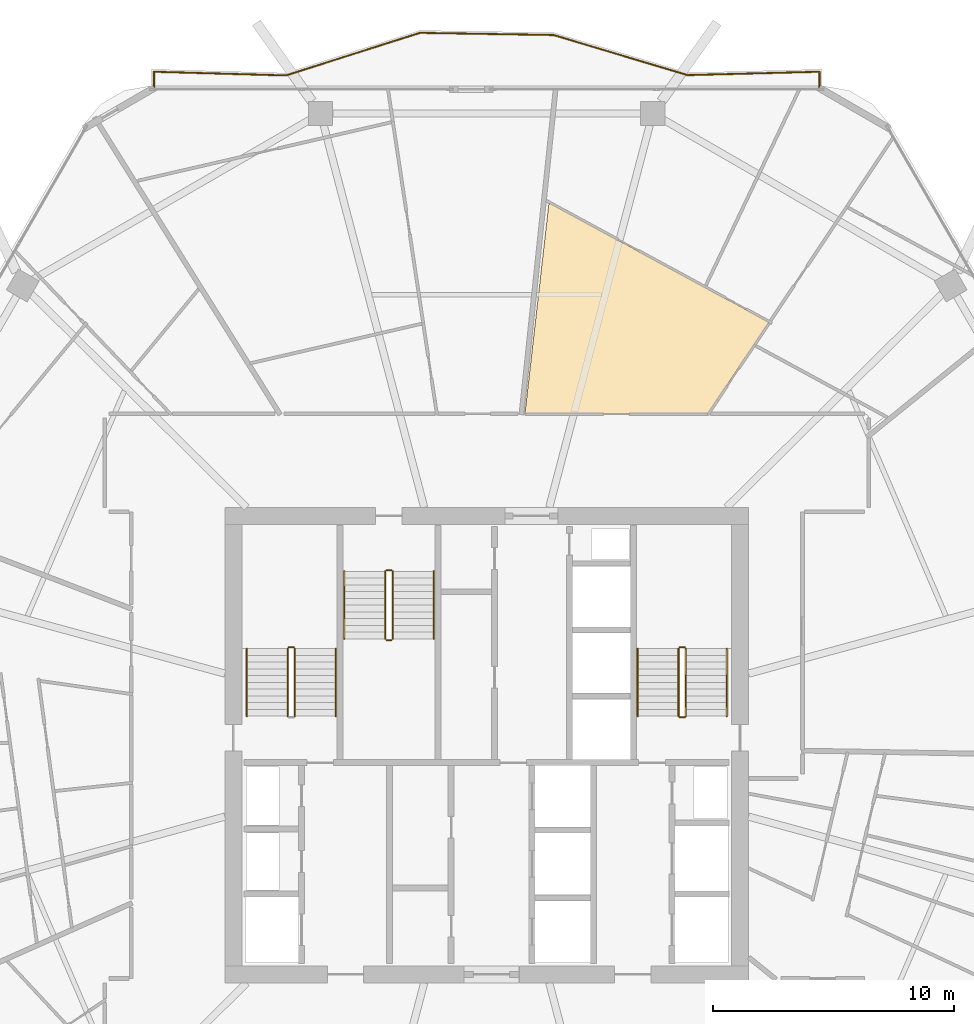
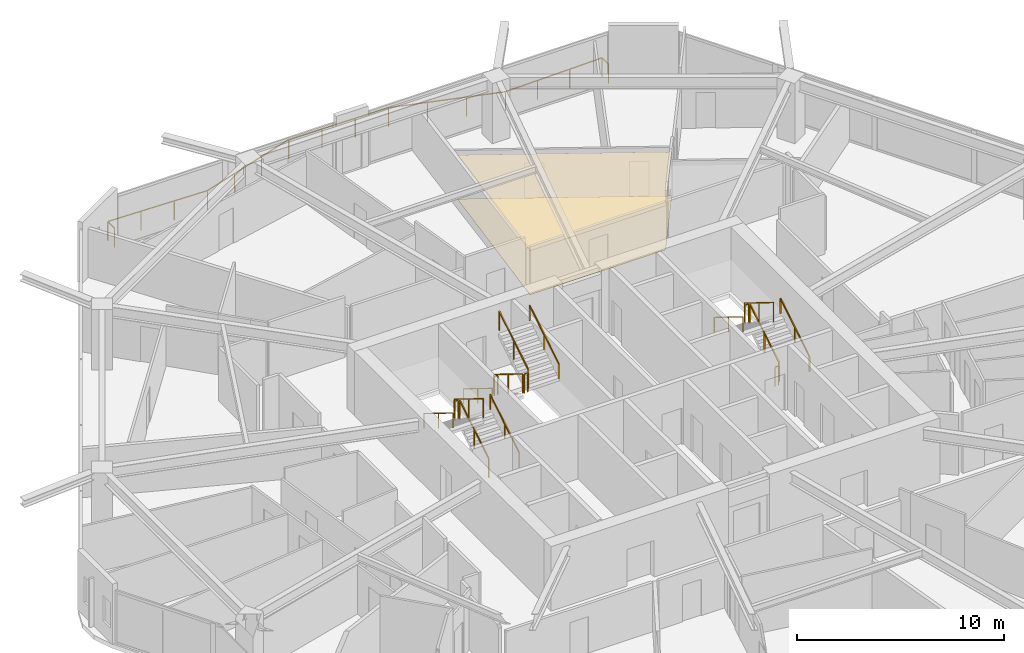
# One storey, part 26 of 27: 18 railings, 2 coverings.
"""IFC4 building model written with IfcOpenShell, lengths in metres."""

from ifc_helpers import new_model, si_unit, direction, frame, origin, origin_2d, place, context, subcontext, project, spatial, polyline, rectangle, outline, extrude, material, layer, layer_set, type_object, element, save


model = new_model("IFC4")

# Units and contexts
model_context = context("Model", 3, precision=1e-05, world=origin(), true_north=direction((0.0, 1.0)))
body_context = subcontext(model_context, "Body", "Model", "MODEL_VIEW")
ifc_project = project(units=[si_unit("LENGTHUNIT", "METRE"), si_unit("AREAUNIT", "SQUARE_METRE"), si_unit("VOLUMEUNIT", "CUBIC_METRE"), si_unit("PLANEANGLEUNIT", "RADIAN"), si_unit("MASSUNIT", "GRAM", prefix="KILO")], contexts=[model_context])

# Site, building, storey
site_placement = place(None, origin())
site = spatial("IfcSite", under=ifc_project, at=site_placement, CompositionType="ELEMENT")
building_placement = place(site_placement, origin())
building = spatial("IfcBuilding", under=site, at=building_placement, Name="Zuhravey Tower", CompositionType="ELEMENT")
storey_placement = place(building_placement, frame((0.0, 0.0, 173.199951171875)))
storey = spatial("IfcBuildingStorey", under=building, at=storey_placement, Name="L43", CompositionType="ELEMENT", Elevation=173.199951171875)

# Coverings
ifc_material_1 = material(Name="Mineral-fibre acoustic ceiling tile")
ifc_layer_1 = layer(ifc_material_1, 0.02490234375)
ifc_layer_set_1 = layer_set([ifc_layer_1], Name="Mineral-fibre acoustic ceiling tile")
covering_type_1 = type_object("IfcCoveringType", Name="Acoustic Suspended Ceiling", PredefinedType="CEILING", material=ifc_layer_set_1)
covering_1_placement = place(storey_placement, frame((0.0, 0.0, 2.590087890625)))
element("IfcCovering", 1, at=covering_1_placement, inside=storey, type_object=covering_type_1, Name="L43 Acoustic Suspended Ceiling CLG1", PredefinedType="CEILING", context=body_context, shape_type="SweptSolid", body=[
    extrude(outline(polyline([(45.160400390625, 45.72998046875), (37.58447265625, 45.72998046875), (38.580810546875, 54.475830078125), (47.69921875, 49.525146484375), (45.160400390625, 45.72998046875)])), origin(), (0.0, 0.0, 1.0), 0.02490234375),
])
ifc_material_2 = material(Name="Porcelain tile finish")
ifc_layer_2 = layer(ifc_material_2, 0.02001953125)
ifc_layer_set_2 = layer_set([ifc_layer_2], Name="Porcelain tile finish")
covering_type_2 = type_object("IfcCoveringType", Name="Apartment Ondol Porcelain Flooring", PredefinedType="FLOORING", material=ifc_layer_set_2)
covering_2_placement = place(storey_placement, origin())
element("IfcCovering", 2, at=covering_2_placement, inside=storey, type_object=covering_type_2, Name="L43 Principal Room Acoustic Flooring", PredefinedType="FLOORING", context=body_context, shape_type="SweptSolid", body=[
    extrude(outline(polyline([(45.160400390625, 45.72998046875), (37.58447265625, 45.72998046875), (38.580810546875, 54.475830078125), (47.69921875, 49.525146484375), (45.160400390625, 45.72998046875)])), origin(), (0.0, 0.0, 1.0), 0.02001953125),
])

# Railings
ifc_material_3 = material(Name="Stainless steel 316 and laminated glass", Category="steel")
railing_type_1 = type_object("IfcRailingType", Name="Balcony & Terrace Guardrail 1150", PredefinedType="BALUSTRADE", material=ifc_material_3)
railing_1_placement = place(storey_placement, frame((22.2099609375, 59.26806640625, 0.0)))
element("IfcRailing", 3, at=railing_1_placement, inside=storey, type_object=railing_type_1, Name="L43 Face 2 Wave Balcony Guardrail GR1", PredefinedType="BALUSTRADE", context=body_context, shape_type="SweptSolid", body=[
    extrude(rectangle(XDim=0.048095703125, YDim=0.048095703125, at=origin_2d()), frame((0.0, 0.001953125, 1.1259765625), z_axis=(0.0, 1.0, 0.0), x_axis=(-1.0, 0.0, 0.0)), (0.0, 0.0, 1.0), 0.63330078125),
    extrude(rectangle(XDim=0.048095703125, YDim=0.048095703125, at=origin_2d()), frame((0.001953125, 0.63720703125, 1.1259765625), z_axis=(0.999608689548, -0.027972625562, 0.0), x_axis=(0.027972625562, 0.999608689548, 0.0)), (0.0, 0.0, 1.0), 5.46826171875),
    extrude(rectangle(XDim=0.048095703125, YDim=0.048095703125, at=origin_2d()), frame((5.47216796875, 0.484619140625, 1.1259765625), z_axis=(0.953068660905, 0.302754236307, 0.0), x_axis=(-0.302754236307, 0.953068660905, 0.0)), (0.0, 0.0, 1.0), 5.826171875),
    extrude(rectangle(XDim=0.048095703125, YDim=0.048095703125, at=origin_2d()), frame((11.02880859375, 2.249267578125, 1.1259765625), z_axis=(0.999867853116, -0.016256577271, 0.0), x_axis=(0.016256577271, 0.999867853116, 0.0)), (0.0, 0.0, 1.0), 5.522705078125),
    extrude(rectangle(XDim=0.048095703125, YDim=0.048095703125, at=origin_2d()), frame((16.5546875, 2.158935546875, 1.1259765625), z_axis=(0.958086515211, -0.286479020823, 0.0), x_axis=(0.286479020823, 0.958086515211, 0.0)), (0.0, 0.0, 1.0), 5.797119140625),
    extrude(rectangle(XDim=0.048095703125, YDim=0.048095703125, at=origin_2d()), frame((22.112548828125, 0.49755859375, 1.1259765625), z_axis=(0.999673070677, 0.025568569812, 0.0), x_axis=(-0.025568569812, 0.999673070677, 0.0)), (0.0, 0.0, 1.0), 5.46728515625),
    extrude(rectangle(XDim=0.048095703125, YDim=0.048095703125, at=origin_2d()), frame((27.580078125, 0.635498046875, 1.1259765625), z_axis=(0.0, -1.0, 0.0), x_axis=(1.0, 0.0, 0.0)), (0.0, 0.0, 1.0), 0.633544921875),
    extrude(rectangle(XDim=0.0419921875, YDim=0.0419921875, at=origin_2d()), origin(), (0.0, 0.0, 1.0), 1.099853515625),
    extrude(rectangle(XDim=0.0419921875, YDim=0.0419921875, at=origin_2d()), frame((0.0, 0.63720703125, 0.0)), (0.0, 0.0, 1.0), 1.099853515625),
    extrude(rectangle(XDim=0.0419921875, YDim=0.0419921875, at=origin_2d()), frame((1.823486328125, 0.586181640625, 0.0)), (0.0, 0.0, 1.0), 1.099853515625),
    extrude(rectangle(XDim=0.0419921875, YDim=0.0419921875, at=origin_2d()), frame((3.646728515625, 0.53515625, 0.0)), (0.0, 0.0, 1.0), 1.099853515625),
    extrude(rectangle(XDim=0.0419921875, YDim=0.0419921875, at=origin_2d()), frame((5.47021484375, 0.484130859375, 0.0)), (0.0, 0.0, 1.0), 1.099853515625),
    extrude(rectangle(XDim=0.0419921875, YDim=0.0419921875, at=origin_2d()), frame((7.322509765625, 1.072509765625, 0.0)), (0.0, 0.0, 1.0), 1.099853515625),
    extrude(rectangle(XDim=0.0419921875, YDim=0.0419921875, at=origin_2d()), frame((9.174560546875, 1.660888671875, 0.0)), (0.0, 0.0, 1.0), 1.099853515625),
    extrude(rectangle(XDim=0.0419921875, YDim=0.0419921875, at=origin_2d()), frame((11.02685546875, 2.249267578125, 0.0)), (0.0, 0.0, 1.0), 1.099853515625),
    extrude(rectangle(XDim=0.0419921875, YDim=0.0419921875, at=origin_2d()), frame((12.868896484375, 2.21923828125, 0.0)), (0.0, 0.0, 1.0), 1.099853515625),
    extrude(rectangle(XDim=0.0419921875, YDim=0.0419921875, at=origin_2d()), frame((14.710693359375, 2.189453125, 0.0)), (0.0, 0.0, 1.0), 1.099853515625),
    extrude(rectangle(XDim=0.0419921875, YDim=0.0419921875, at=origin_2d()), frame((16.552734375, 2.159423828125, 0.0)), (0.0, 0.0, 1.0), 1.099853515625),
    extrude(rectangle(XDim=0.0419921875, YDim=0.0419921875, at=origin_2d()), frame((18.4052734375, 1.60546875, 0.0)), (0.0, 0.0, 1.0), 1.099853515625),
    extrude(rectangle(XDim=0.0419921875, YDim=0.0419921875, at=origin_2d()), frame((20.258056640625, 1.051513671875, 0.0)), (0.0, 0.0, 1.0), 1.099853515625),
    extrude(rectangle(XDim=0.0419921875, YDim=0.0419921875, at=origin_2d()), frame((22.110595703125, 0.49755859375, 0.0)), (0.0, 0.0, 1.0), 1.099853515625),
    extrude(rectangle(XDim=0.0419921875, YDim=0.0419921875, at=origin_2d()), frame((23.933837890625, 0.544189453125, 0.0)), (0.0, 0.0, 1.0), 1.099853515625),
    extrude(rectangle(XDim=0.0419921875, YDim=0.0419921875, at=origin_2d()), frame((25.7568359375, 0.5908203125, 0.0)), (0.0, 0.0, 1.0), 1.099853515625),
    extrude(rectangle(XDim=0.0419921875, YDim=0.0419921875, at=origin_2d()), frame((27.580078125, 0.637451171875, 0.0)), (0.0, 0.0, 1.0), 1.099853515625),
    extrude(rectangle(XDim=0.0419921875, YDim=0.0419921875, at=origin_2d()), frame((27.580078125, 0.0, 0.0)), (0.0, 0.0, 1.0), 1.099853515625),
])
ifc_material_4 = material(Name="Brushed stainless steel", Category="steel")
railing_type_2 = type_object("IfcRailingType", Name="Stair Wall Handrail 900", PredefinedType="HANDRAIL", material=ifc_material_4)
railing_2_placement = place(storey_placement, frame((29.75, 33.199951171875, 0.1728515625)))
element("IfcRailing", 4, at=railing_2_placement, inside=storey, type_object=railing_type_2, Name="L43 ST1 stair handrail 1", PredefinedType="HANDRAIL", context=body_context, shape_type="SweptSolid", body=[
    extrude(rectangle(XDim=0.048095703125, YDim=0.048095703125, at=origin_2d()), frame((0.0, 0.001708984375, 0.876953125), z_axis=(0.0, 0.851089632645, 0.525020415988), x_axis=(-1.0, 0.0, 0.0)), (0.0, 0.0, 1.0), 3.285888671875),
    extrude(rectangle(XDim=0.0419921875, YDim=0.0419921875, at=origin_2d()), origin(), (0.0, 0.0, 1.0), 0.849853515625),
    extrude(rectangle(XDim=0.0419921875, YDim=0.0419921875, at=origin_2d()), frame((0.0, 1.39990234375, 0.86376953125)), (0.0, 0.0, 1.0), 0.849853515625),
    extrude(rectangle(XDim=0.0419921875, YDim=0.0419921875, at=origin_2d()), frame((0.0, 2.800048828125, 1.727294921875)), (0.0, 0.0, 1.0), 0.849853515625),
])
railing_3_placement = place(storey_placement, frame((26.050048828125, 36.0, 2.07275390625)))
element("IfcRailing", 5, at=railing_3_placement, inside=storey, type_object=railing_type_2, Name="L43 ST1 stair handrail 2", PredefinedType="HANDRAIL", context=body_context, shape_type="SweptSolid", body=[
    extrude(rectangle(XDim=0.048095703125, YDim=0.048095703125, at=origin_2d()), frame((0.0, -0.001708984375, 0.876953125), z_axis=(0.0, -0.851089632645, 0.525020415988), x_axis=(1.0, 0.0, 0.0)), (0.0, 0.0, 1.0), 3.285888671875),
    extrude(rectangle(XDim=0.0419921875, YDim=0.0419921875, at=origin_2d()), origin(), (0.0, 0.0, 1.0), 0.849853515625),
    extrude(rectangle(XDim=0.0419921875, YDim=0.0419921875, at=origin_2d()), frame((0.0, -1.39990234375, 0.86376953125)), (0.0, 0.0, 1.0), 0.849853515625),
    extrude(rectangle(XDim=0.0419921875, YDim=0.0419921875, at=origin_2d()), frame((0.0, -2.800048828125, 1.727294921875)), (0.0, 0.0, 1.0), 0.849853515625),
])
railing_4_placement = place(storey_placement, frame((45.949951171875, 33.199951171875, 0.1728515625)))
element("IfcRailing", 6, at=railing_4_placement, inside=storey, type_object=railing_type_2, Name="L43 ST2 stair handrail 1", PredefinedType="HANDRAIL", context=body_context, shape_type="SweptSolid", body=[
    extrude(rectangle(XDim=0.048095703125, YDim=0.048095703125, at=origin_2d()), frame((0.0, 0.001708984375, 0.876953125), z_axis=(0.0, 0.851089632645, 0.525020415988), x_axis=(-1.0, 0.0, 0.0)), (0.0, 0.0, 1.0), 3.285888671875),
    extrude(rectangle(XDim=0.0419921875, YDim=0.0419921875, at=origin_2d()), origin(), (0.0, 0.0, 1.0), 0.849853515625),
    extrude(rectangle(XDim=0.0419921875, YDim=0.0419921875, at=origin_2d()), frame((0.0, 1.39990234375, 0.86376953125)), (0.0, 0.0, 1.0), 0.849853515625),
    extrude(rectangle(XDim=0.0419921875, YDim=0.0419921875, at=origin_2d()), frame((0.0, 2.800048828125, 1.727294921875)), (0.0, 0.0, 1.0), 0.849853515625),
])
for number, where, name in (
    (7, (42.25, 36.0, 2.07275390625), "L43 ST2 stair handrail 2"),
    (8, (30.10009765625, 39.199951171875, 0.1728515625), "L43 ST3 stair handrail 1"),
):
    element("IfcRailing", number, at=place(storey_placement, frame(where)), inside=storey, type_object=railing_type_2, Name=name, PredefinedType="HANDRAIL", context=body_context, shape_type="SweptSolid", body=[
        extrude(rectangle(XDim=0.048095703125, YDim=0.048095703125, at=origin_2d()), frame((0.0, -0.001708984375, 0.876953125), z_axis=(0.0, -0.851089632645, 0.525020415988), x_axis=(1.0, 0.0, 0.0)), (0.0, 0.0, 1.0), 3.285888671875),
        extrude(rectangle(XDim=0.0419921875, YDim=0.0419921875, at=origin_2d()), origin(), (0.0, 0.0, 1.0), 0.849853515625),
        extrude(rectangle(XDim=0.0419921875, YDim=0.0419921875, at=origin_2d()), frame((0.0, -1.39990234375, 0.86376953125)), (0.0, 0.0, 1.0), 0.849853515625),
        extrude(rectangle(XDim=0.0419921875, YDim=0.0419921875, at=origin_2d()), frame((0.0, -2.800048828125, 1.727294921875)), (0.0, 0.0, 1.0), 0.849853515625),
    ])
railing_5_placement = place(storey_placement, frame((33.800048828125, 36.39990234375, 2.07275390625)))
element("IfcRailing", 9, at=railing_5_placement, inside=storey, type_object=railing_type_2, Name="L43 ST3 stair handrail 2", PredefinedType="HANDRAIL", context=body_context, shape_type="SweptSolid", body=[
    extrude(rectangle(XDim=0.048095703125, YDim=0.048095703125, at=origin_2d()), frame((0.0, 0.001708984375, 0.876953125), z_axis=(0.0, 0.851089632645, 0.525020415988), x_axis=(-1.0, 0.0, 0.0)), (0.0, 0.0, 1.0), 3.285888671875),
    extrude(rectangle(XDim=0.0419921875, YDim=0.0419921875, at=origin_2d()), origin(), (0.0, 0.0, 1.0), 0.849853515625),
    extrude(rectangle(XDim=0.0419921875, YDim=0.0419921875, at=origin_2d()), frame((0.0, 1.39990234375, 0.86376953125)), (0.0, 0.0, 1.0), 0.849853515625),
    extrude(rectangle(XDim=0.0419921875, YDim=0.0419921875, at=origin_2d()), frame((0.0, 2.800048828125, 1.727294921875)), (0.0, 0.0, 1.0), 0.849853515625),
])
ifc_material_5 = material(Name="Painted tubular steel", Category="steel")
railing_type_3 = type_object("IfcRailingType", Name="Stair Well Guardrail 1150", PredefinedType="GUARDRAIL", material=ifc_material_5)
railing_6_placement = place(storey_placement, frame((28.050048828125, 33.199951171875, 0.1728515625)))
element("IfcRailing", 10, at=railing_6_placement, inside=storey, type_object=railing_type_3, Name="L43 ST1 stair guard 1", PredefinedType="GUARDRAIL", context=body_context, shape_type="SweptSolid", body=[
    extrude(rectangle(XDim=0.048095703125, YDim=0.048095703125, at=origin_2d()), frame((0.0, 0.001708984375, 1.126953125), z_axis=(0.0, 0.851089632645, 0.525020415988), x_axis=(-1.0, 0.0, 0.0)), (0.0, 0.0, 1.0), 3.285888671875),
    extrude(rectangle(XDim=0.0419921875, YDim=0.0419921875, at=origin_2d()), origin(), (0.0, 0.0, 1.0), 1.099853515625),
    extrude(rectangle(XDim=0.0419921875, YDim=0.0419921875, at=origin_2d()), frame((0.0, 1.39990234375, 0.86376953125)), (0.0, 0.0, 1.0), 1.099853515625),
    extrude(rectangle(XDim=0.0419921875, YDim=0.0419921875, at=origin_2d()), frame((0.0, 2.800048828125, 1.727294921875)), (0.0, 0.0, 1.0), 1.099853515625),
])
railing_7_placement = place(storey_placement, frame((28.0, 36.050048828125, 1.900146484375)))
element("IfcRailing", 11, at=railing_7_placement, inside=storey, type_object=railing_type_3, Name="L43 ST1 stair guard 2", PredefinedType="GUARDRAIL", context=body_context, shape_type="SweptSolid", body=[
    extrude(rectangle(XDim=0.048095703125, YDim=0.048095703125, at=origin_2d()), frame((-0.001953125, 0.0, 1.1259765625), z_axis=(-1.0, 0.0, 0.0), x_axis=(0.0, -1.0, 0.0)), (0.0, 0.0, 1.0), 0.196044921875),
    extrude(rectangle(XDim=0.0419921875, YDim=0.0419921875, at=origin_2d()), origin(), (0.0, 0.0, 1.0), 1.099853515625),
    extrude(rectangle(XDim=0.0419921875, YDim=0.0419921875, at=origin_2d()), frame((-0.199951171875, 0.0, 0.0)), (0.0, 0.0, 1.0), 1.099853515625),
])
railing_8_placement = place(storey_placement, frame((27.75, 36.0, 2.07275390625)))
element("IfcRailing", 12, at=railing_8_placement, inside=storey, type_object=railing_type_3, Name="L43 ST1 stair guard 3", PredefinedType="GUARDRAIL", context=body_context, shape_type="SweptSolid", body=[
    extrude(rectangle(XDim=0.048095703125, YDim=0.048095703125, at=origin_2d()), frame((0.0, -0.001708984375, 1.126953125), z_axis=(0.0, -0.851089632645, 0.525020415988), x_axis=(1.0, 0.0, 0.0)), (0.0, 0.0, 1.0), 3.285888671875),
    extrude(rectangle(XDim=0.0419921875, YDim=0.0419921875, at=origin_2d()), origin(), (0.0, 0.0, 1.0), 1.099853515625),
    extrude(rectangle(XDim=0.0419921875, YDim=0.0419921875, at=origin_2d()), frame((0.0, -1.39990234375, 0.86376953125)), (0.0, 0.0, 1.0), 1.099853515625),
    extrude(rectangle(XDim=0.0419921875, YDim=0.0419921875, at=origin_2d()), frame((0.0, -2.800048828125, 1.727294921875)), (0.0, 0.0, 1.0), 1.099853515625),
])
railing_9_placement = place(storey_placement, frame((44.25, 33.199951171875, 0.1728515625)))
element("IfcRailing", 13, at=railing_9_placement, inside=storey, type_object=railing_type_3, Name="L43 ST2 stair guard 1", PredefinedType="GUARDRAIL", context=body_context, shape_type="SweptSolid", body=[
    extrude(rectangle(XDim=0.048095703125, YDim=0.048095703125, at=origin_2d()), frame((0.0, 0.001708984375, 1.126953125), z_axis=(0.0, 0.851089632645, 0.525020415988), x_axis=(-1.0, 0.0, 0.0)), (0.0, 0.0, 1.0), 3.285888671875),
    extrude(rectangle(XDim=0.0419921875, YDim=0.0419921875, at=origin_2d()), origin(), (0.0, 0.0, 1.0), 1.099853515625),
    extrude(rectangle(XDim=0.0419921875, YDim=0.0419921875, at=origin_2d()), frame((0.0, 1.39990234375, 0.86376953125)), (0.0, 0.0, 1.0), 1.099853515625),
    extrude(rectangle(XDim=0.0419921875, YDim=0.0419921875, at=origin_2d()), frame((0.0, 2.800048828125, 1.727294921875)), (0.0, 0.0, 1.0), 1.099853515625),
])
railing_10_placement = place(storey_placement, frame((44.199951171875, 36.050048828125, 1.900146484375)))
element("IfcRailing", 14, at=railing_10_placement, inside=storey, type_object=railing_type_3, Name="L43 ST2 stair guard 2", PredefinedType="GUARDRAIL", context=body_context, shape_type="SweptSolid", body=[
    extrude(rectangle(XDim=0.048095703125, YDim=0.048095703125, at=origin_2d()), frame((-0.001953125, 0.0, 1.1259765625), z_axis=(-1.0, 0.0, 0.0), x_axis=(0.0, -1.0, 0.0)), (0.0, 0.0, 1.0), 0.196044921875),
    extrude(rectangle(XDim=0.0419921875, YDim=0.0419921875, at=origin_2d()), origin(), (0.0, 0.0, 1.0), 1.099853515625),
    extrude(rectangle(XDim=0.0419921875, YDim=0.0419921875, at=origin_2d()), frame((-0.199951171875, 0.0, 0.0)), (0.0, 0.0, 1.0), 1.099853515625),
])
railing_11_placement = place(storey_placement, frame((43.949951171875, 36.0, 2.07275390625)))
element("IfcRailing", 15, at=railing_11_placement, inside=storey, type_object=railing_type_3, Name="L43 ST2 stair guard 3", PredefinedType="GUARDRAIL", context=body_context, shape_type="SweptSolid", body=[
    extrude(rectangle(XDim=0.048095703125, YDim=0.048095703125, at=origin_2d()), frame((0.0, -0.001708984375, 1.126953125), z_axis=(0.0, -0.851089632645, 0.525020415988), x_axis=(1.0, 0.0, 0.0)), (0.0, 0.0, 1.0), 3.285888671875),
    extrude(rectangle(XDim=0.0419921875, YDim=0.0419921875, at=origin_2d()), origin(), (0.0, 0.0, 1.0), 1.099853515625),
    extrude(rectangle(XDim=0.0419921875, YDim=0.0419921875, at=origin_2d()), frame((0.0, -1.39990234375, 0.86376953125)), (0.0, 0.0, 1.0), 1.099853515625),
    extrude(rectangle(XDim=0.0419921875, YDim=0.0419921875, at=origin_2d()), frame((0.0, -2.800048828125, 1.727294921875)), (0.0, 0.0, 1.0), 1.099853515625),
])
railing_12_placement = place(storey_placement, frame((44.199951171875, 33.14990234375, 0.0)))
element("IfcRailing", 16, at=railing_12_placement, inside=storey, type_object=railing_type_3, Name="L43 ST2 stair guard 4", PredefinedType="GUARDRAIL", context=body_context, shape_type="SweptSolid", body=[
    extrude(rectangle(XDim=0.048095703125, YDim=0.048095703125, at=origin_2d()), frame((-0.001953125, 0.0, 1.1259765625), z_axis=(-1.0, 0.0, 0.0), x_axis=(0.0, -1.0, 0.0)), (0.0, 0.0, 1.0), 0.196044921875),
    extrude(rectangle(XDim=0.0419921875, YDim=0.0419921875, at=origin_2d()), origin(), (0.0, 0.0, 1.0), 1.099853515625),
    extrude(rectangle(XDim=0.0419921875, YDim=0.0419921875, at=origin_2d()), frame((-0.199951171875, 0.0, 0.0)), (0.0, 0.0, 1.0), 1.099853515625),
])
railing_13_placement = place(storey_placement, frame((31.800048828125, 39.199951171875, 0.1728515625)))
element("IfcRailing", 17, at=railing_13_placement, inside=storey, type_object=railing_type_3, Name="L43 ST3 stair guard 1", PredefinedType="GUARDRAIL", context=body_context, shape_type="SweptSolid", body=[
    extrude(rectangle(XDim=0.048095703125, YDim=0.048095703125, at=origin_2d()), frame((0.0, -0.001708984375, 1.126953125), z_axis=(0.0, -0.851089632645, 0.525020415988), x_axis=(1.0, 0.0, 0.0)), (0.0, 0.0, 1.0), 3.285888671875),
    extrude(rectangle(XDim=0.0419921875, YDim=0.0419921875, at=origin_2d()), origin(), (0.0, 0.0, 1.0), 1.099853515625),
    extrude(rectangle(XDim=0.0419921875, YDim=0.0419921875, at=origin_2d()), frame((0.0, -1.39990234375, 0.86376953125)), (0.0, 0.0, 1.0), 1.099853515625),
    extrude(rectangle(XDim=0.0419921875, YDim=0.0419921875, at=origin_2d()), frame((0.0, -2.800048828125, 1.727294921875)), (0.0, 0.0, 1.0), 1.099853515625),
])
railing_14_placement = place(storey_placement, frame((31.85009765625, 36.35009765625, 1.900146484375)))
element("IfcRailing", 18, at=railing_14_placement, inside=storey, type_object=railing_type_3, Name="L43 ST3 stair guard 2", PredefinedType="GUARDRAIL", context=body_context, shape_type="SweptSolid", body=[
    extrude(rectangle(XDim=0.048095703125, YDim=0.048095703125, at=origin_2d()), frame((0.001953125, 0.0, 1.1259765625), z_axis=(1.0, 0.0, 0.0), x_axis=(0.0, 1.0, 0.0)), (0.0, 0.0, 1.0), 0.196044921875),
    extrude(rectangle(XDim=0.0419921875, YDim=0.0419921875, at=origin_2d()), origin(), (0.0, 0.0, 1.0), 1.099853515625),
    extrude(rectangle(XDim=0.0419921875, YDim=0.0419921875, at=origin_2d()), frame((0.199951171875, 0.0, 0.0)), (0.0, 0.0, 1.0), 1.099853515625),
])
railing_15_placement = place(storey_placement, frame((32.10009765625, 36.39990234375, 2.07275390625)))
element("IfcRailing", 19, at=railing_15_placement, inside=storey, type_object=railing_type_3, Name="L43 ST3 stair guard 3", PredefinedType="GUARDRAIL", context=body_context, shape_type="SweptSolid", body=[
    extrude(rectangle(XDim=0.048095703125, YDim=0.048095703125, at=origin_2d()), frame((0.0, 0.001708984375, 1.126953125), z_axis=(0.0, 0.851089632645, 0.525020415988), x_axis=(-1.0, 0.0, 0.0)), (0.0, 0.0, 1.0), 3.285888671875),
    extrude(rectangle(XDim=0.0419921875, YDim=0.0419921875, at=origin_2d()), origin(), (0.0, 0.0, 1.0), 1.099853515625),
    extrude(rectangle(XDim=0.0419921875, YDim=0.0419921875, at=origin_2d()), frame((0.0, 1.39990234375, 0.86376953125)), (0.0, 0.0, 1.0), 1.099853515625),
    extrude(rectangle(XDim=0.0419921875, YDim=0.0419921875, at=origin_2d()), frame((0.0, 2.800048828125, 1.727294921875)), (0.0, 0.0, 1.0), 1.099853515625),
])
railing_16_placement = place(storey_placement, frame((31.85009765625, 39.25, 0.0)))
element("IfcRailing", 20, at=railing_16_placement, inside=storey, type_object=railing_type_3, Name="L43 ST3 stair guard 4", PredefinedType="GUARDRAIL", context=body_context, shape_type="SweptSolid", body=[
    extrude(rectangle(XDim=0.048095703125, YDim=0.048095703125, at=origin_2d()), frame((0.001953125, 0.0, 1.1259765625), z_axis=(1.0, 0.0, 0.0), x_axis=(0.0, 1.0, 0.0)), (0.0, 0.0, 1.0), 0.196044921875),
    extrude(rectangle(XDim=0.0419921875, YDim=0.0419921875, at=origin_2d()), origin(), (0.0, 0.0, 1.0), 1.099853515625),
    extrude(rectangle(XDim=0.0419921875, YDim=0.0419921875, at=origin_2d()), frame((0.199951171875, 0.0, 0.0)), (0.0, 0.0, 1.0), 1.099853515625),
])

save(model, "model.ifc")
